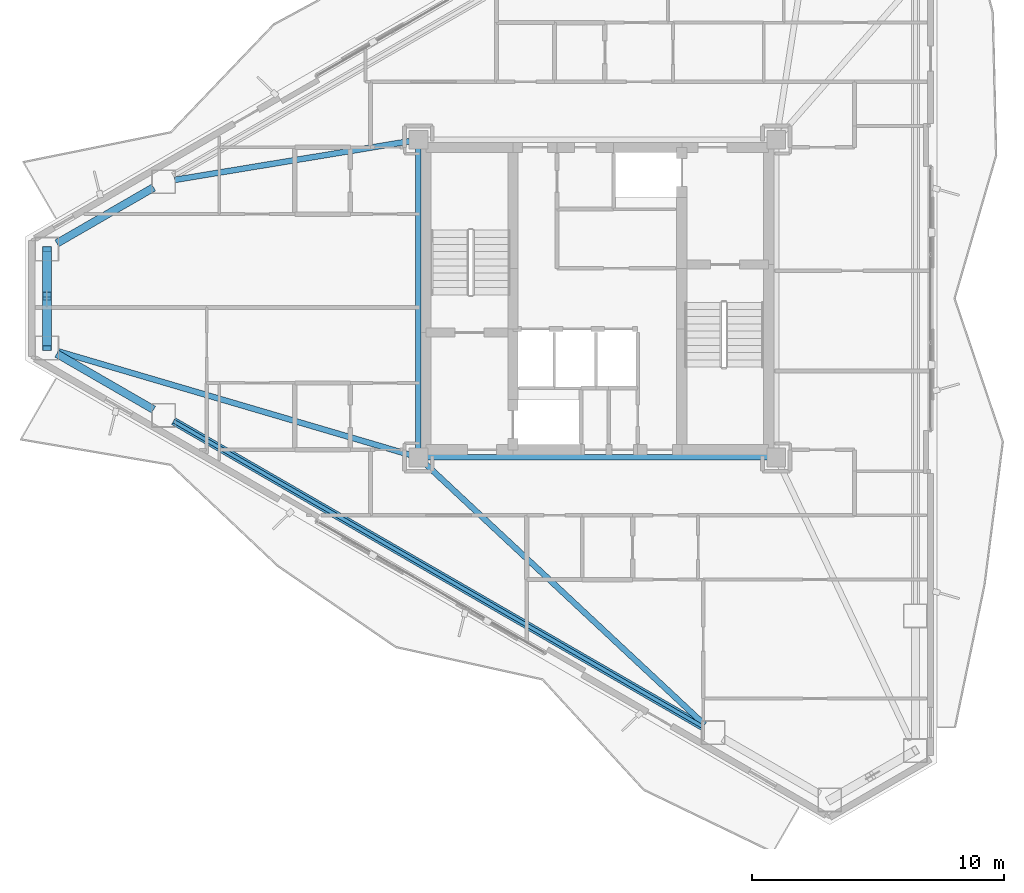
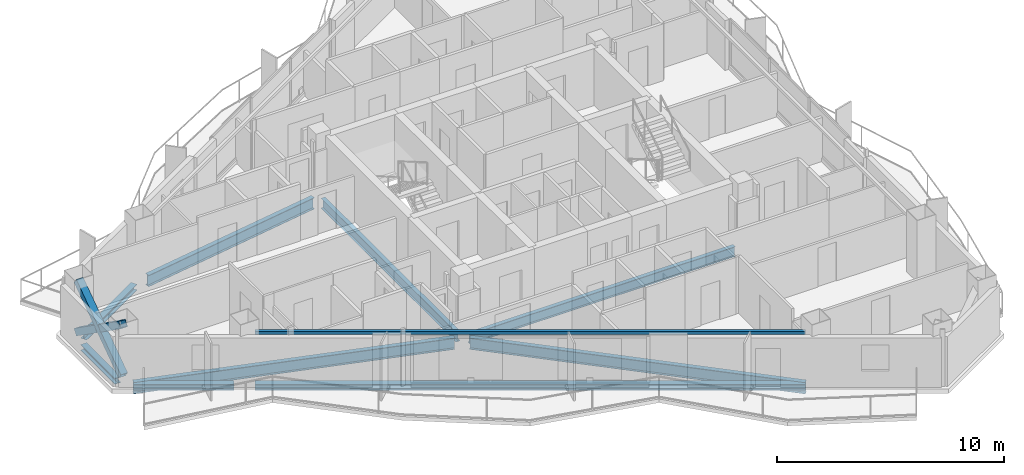
# One storey, part 4 of 19: 10 beams, 3 members.
"""IFC4 building model written with IfcOpenShell, lengths in metres."""

from ifc_helpers import new_model, si_unit, direction, frame, origin, origin_2d, place, context, subcontext, project, spatial, hollow_rectangle, i_section, extrude, material, material_profile, profile_set, type_object, element, save


model = new_model("IFC4")

# Units and contexts
model_context = context("Model", 3, precision=1e-05, world=origin(), true_north=direction((0.0, 1.0)))
body_context = subcontext(model_context, "Body", "Model", "MODEL_VIEW")
ifc_project = project(units=[si_unit("LENGTHUNIT", "METRE"), si_unit("AREAUNIT", "SQUARE_METRE"), si_unit("VOLUMEUNIT", "CUBIC_METRE"), si_unit("PLANEANGLEUNIT", "RADIAN"), si_unit("MASSUNIT", "GRAM", prefix="KILO")], contexts=[model_context])

# Site, building, storey
site_placement = place(None, origin())
site = spatial("IfcSite", under=ifc_project, at=site_placement, CompositionType="ELEMENT")
building_placement = place(site_placement, origin())
building = spatial("IfcBuilding", under=site, at=building_placement, Name="Mersakhor Tower and Convention Hall", CompositionType="ELEMENT")
storey_placement = place(building_placement, frame((0.0, 0.0, 127.800048828125)))
storey = spatial("IfcBuildingStorey", under=building, at=storey_placement, Name="L35", CompositionType="ELEMENT", Elevation=127.800048828125)

# Beams
ifc_material_1 = material(Name="Steel S355", Category="steel")
ifc_material_profile_1 = material_profile(ifc_material_1, i_section(OverallWidth=0.2099609375, OverallDepth=0.53662109375, WebThickness=0.0107421875, FlangeThickness=0.017333984375, at=origin_2d()), Name="UB 533x210x101")
ifc_profile_set_1 = profile_set([ifc_material_profile_1], Name="Steel S355")
beam_type_1 = type_object("IfcBeamType", Name="BM-FB-533", PredefinedType="BEAM", material=ifc_profile_set_1)
beam_1_placement = place(storey_placement, frame((21.89990234375, 20.804931640625, -0.50830078125), z_axis=(0.0, 1.0, 0.0), x_axis=(-1.0, 0.0, 0.0)))
element("IfcBeam", 1, at=beam_1_placement, inside=storey, type_object=beam_type_1, Name="L35 Core Ring Tie Beam CRB-1", PredefinedType="BEAM", context=body_context, shape_type="SweptSolid", body=[
    extrude(i_section(OverallWidth=0.2099609375, OverallDepth=0.53662109375, WebThickness=0.0107421875, FlangeThickness=0.017333984375, at=origin_2d()), origin(), (0.0, 0.0, 1.0), 11.89013671875),
])
beam_2_placement = place(storey_placement, frame((35.7451171875, 20.449951171875, -0.50830078125), z_axis=(-1.0, 0.0, 0.0), x_axis=(0.0, -1.0, 0.0)))
element("IfcBeam", 2, at=beam_2_placement, inside=storey, type_object=beam_type_1, Name="L35 Core Ring Tie Beam CRB-4", PredefinedType="BEAM", context=body_context, shape_type="SweptSolid", body=[
    extrude(i_section(OverallWidth=0.2099609375, OverallDepth=0.53662109375, WebThickness=0.0107421875, FlangeThickness=0.017333984375, at=origin_2d()), origin(), (0.0, 0.0, 1.0), 13.490234375),
])
ifc_material_2 = material(Name="Steel S355", Category="steel")
ifc_material_profile_2 = material_profile(ifc_material_2, hollow_rectangle(XDim=0.14990234375, YDim=0.14990234375, WallThickness=0.010009765625, at=origin_2d()), Name="SHS 150x150x10")
ifc_profile_set_2 = profile_set([ifc_material_profile_2], Name="Steel S355")
beam_type_2 = type_object("IfcBeamType", Name="BM-GRT-SHS150", PredefinedType="USERDEFINED", material=ifc_profile_set_2)
beam_3_placement = place(storey_placement, frame((33.198486328125, 9.754638671875, 2.47998046875), z_axis=(-0.866027433267, 0.499996484816, 0.0), x_axis=(-0.499996484816, -0.866027433267, 0.0)))
element("IfcBeam", 3, at=beam_3_placement, inside=storey, type_object=beam_type_2, Name="L35 Facade Support Girt GRT-F3", ObjectType="GIRT", PredefinedType="USERDEFINED", context=body_context, shape_type="SweptSolid", body=[
    extrude(hollow_rectangle(XDim=0.14990234375, YDim=0.14990234375, WallThickness=0.010009765625, at=origin_2d()), origin(), (0.0, 0.0, 1.0), 24.267333984375),
])
ifc_material_3 = material(Name="Steel S355", Category="steel")
ifc_material_profile_3 = material_profile(ifc_material_3, i_section(OverallWidth=0.22900390625, OverallDepth=0.6123046875, WebThickness=0.011962890625, FlangeThickness=0.01953125, at=origin_2d()), Name="UB 610x229x125")
ifc_profile_set_3 = profile_set([ifc_material_profile_3], Name="Steel S355")
beam_type_3 = type_object("IfcBeamType", Name="BM-PR-610", PredefinedType="BEAM", material=ifc_profile_set_3)
beam_4_placement = place(storey_placement, frame((21.5498046875, 32.9921875, -0.546142578125), z_axis=(-0.986703962282, -0.162527815515, 0.0), x_axis=(0.162527815515, -0.986703962282, 0.0)))
element("IfcBeam", 4, at=beam_4_placement, inside=storey, type_object=beam_type_3, Name="L35 Primary Floor Girder FG-1", PredefinedType="BEAM", context=body_context, shape_type="SweptSolid", body=[
    extrude(i_section(OverallWidth=0.22900390625, OverallDepth=0.6123046875, WebThickness=0.011962890625, FlangeThickness=0.01953125, at=origin_2d()), origin(), (0.0, 0.0, 1.0), 9.43798828125),
])
beam_5_placement = place(storey_placement, frame((22.159423828125, 20.207763671875, -0.546142578125), z_axis=(0.730740936679, -0.682654878736, 0.0), x_axis=(0.682654878736, 0.730740936679, 0.0)))
element("IfcBeam", 5, at=beam_5_placement, inside=storey, type_object=beam_type_3, Name="L35 Primary Floor Girder FG-5", PredefinedType="BEAM", context=body_context, shape_type="SweptSolid", body=[
    extrude(i_section(OverallWidth=0.22900390625, OverallDepth=0.6123046875, WebThickness=0.011962890625, FlangeThickness=0.01953125, at=origin_2d()), origin(), (0.0, 0.0, 1.0), 15.19091796875),
])
beam_6_placement = place(storey_placement, frame((21.559326171875, 20.55029296875, -0.546142578125), z_axis=(-0.959324090351, 0.282307083992, 0.0), x_axis=(-0.282307083992, -0.959324090351, 0.0)))
element("IfcBeam", 6, at=beam_6_placement, inside=storey, type_object=beam_type_3, Name="L35 Primary Floor Girder FG-6", PredefinedType="BEAM", context=body_context, shape_type="SweptSolid", body=[
    extrude(i_section(OverallWidth=0.22900390625, OverallDepth=0.6123046875, WebThickness=0.011962890625, FlangeThickness=0.01953125, at=origin_2d()), origin(), (0.0, 0.0, 1.0), 14.5546875),
])
ifc_material_4 = material(Name="Steel S355", Category="steel")
ifc_material_profile_4 = material_profile(ifc_material_4, i_section(OverallWidth=0.30908203125, OverallDepth=0.320556640625, WebThickness=0.013916015625, FlangeThickness=0.021728515625, at=origin_2d()), Name="UC 305x305x137")
ifc_profile_set_4 = profile_set([ifc_material_profile_4], Name="Steel S355")
beam_type_4 = type_object("IfcBeamType", Name="BM-SPD-UC305", PredefinedType="SPANDREL", material=ifc_profile_set_4)
beam_7_placement = place(storey_placement, frame((7.55419921875, 28.939697265625, -0.400390625), z_axis=(0.866028798401, 0.499994120305, 0.0), x_axis=(-0.499994120305, 0.866028798401, 0.0)))
element("IfcBeam", 7, at=beam_7_placement, inside=storey, type_object=beam_type_4, Name="L35 Perimeter Spandrel Beam SPB-01", PredefinedType="SPANDREL", context=body_context, shape_type="SweptSolid", body=[
    extrude(i_section(OverallWidth=0.30908203125, OverallDepth=0.320556640625, WebThickness=0.013916015625, FlangeThickness=0.021728515625, at=origin_2d()), origin(), (0.0, 0.0, 1.0), 4.43408203125),
])
beam_8_placement = place(storey_placement, frame((33.198486328125, 9.754638671875, -0.400390625), z_axis=(-0.866027433267, 0.499996484816, 0.0), x_axis=(-0.499996484816, -0.866027433267, 0.0)))
element("IfcBeam", 8, at=beam_8_placement, inside=storey, type_object=beam_type_4, Name="L35 Perimeter Spandrel Beam SPB-10", PredefinedType="SPANDREL", context=body_context, shape_type="SweptSolid", body=[
    extrude(i_section(OverallWidth=0.30908203125, OverallDepth=0.320556640625, WebThickness=0.013916015625, FlangeThickness=0.021728515625, at=origin_2d()), origin(), (0.0, 0.0, 1.0), 24.267333984375),
])
beam_9_placement = place(storey_placement, frame((11.394287109375, 22.34326171875, -0.400390625), z_axis=(-0.866028798401, 0.499994120305, 0.0), x_axis=(-0.499994120305, -0.866028798401, 0.0)))
element("IfcBeam", 9, at=beam_9_placement, inside=storey, type_object=beam_type_4, Name="L35 Perimeter Spandrel Beam SPB-11", PredefinedType="SPANDREL", context=body_context, shape_type="SweptSolid", body=[
    extrude(i_section(OverallWidth=0.30908203125, OverallDepth=0.320556640625, WebThickness=0.013916015625, FlangeThickness=0.021728515625, at=origin_2d()), origin(), (0.0, 0.0, 1.0), 4.43408203125),
])
beam_10_placement = place(storey_placement, frame((7.160400390625, 25.24267578125, -0.400390625), z_axis=(0.0, 1.0, 0.0), x_axis=(-1.0, 0.0, 0.0)))
element("IfcBeam", 10, at=beam_10_placement, inside=storey, type_object=beam_type_4, Name="L35 Perimeter Spandrel Beam SPB-12", PredefinedType="SPANDREL", context=body_context, shape_type="SweptSolid", body=[
    extrude(i_section(OverallWidth=0.30908203125, OverallDepth=0.320556640625, WebThickness=0.013916015625, FlangeThickness=0.021728515625, at=origin_2d()), origin(), (0.0, 0.0, 1.0), 3.0146484375),
])

# Members
ifc_material_5 = material(Name="Steel S460", Category="steel")
ifc_material_profile_5 = material_profile(ifc_material_5, hollow_rectangle(XDim=0.35009765625, YDim=0.35009765625, WallThickness=0.02001953125, at=origin_2d()), Name="SHS 350x350x20")
ifc_profile_set_5 = profile_set([ifc_material_profile_5], Name="Steel S460")
member_type = type_object("IfcMemberType", Name="MB-BRC-SHS350", PredefinedType="BRACE", material=ifc_profile_set_5)
member_placement = place(storey_placement, frame((7.160400390625, 24.78759765625, 0.14990234375), z_axis=(0.0, 0.817991748952, 0.575229952843), x_axis=(-1.0, 0.0, 0.0)))
element("IfcMember", 11, at=member_placement, inside=storey, type_object=member_type, Name="L35 Chamfer Braced Frame Diagonal CB-3A", PredefinedType="BRACE", context=body_context, shape_type="SweptSolid", body=[
    extrude(hollow_rectangle(XDim=0.35009765625, YDim=0.35009765625, WallThickness=0.02001953125, at=origin_2d()), origin(), (0.0, 0.0, 1.0), 4.798095703125),
])
for number, where, z_axis, x_axis, name in (
    (12, (7.160400390625, 28.71240234375, 0.14990234375), (0.0, -0.817960781121, 0.575273987372), (1.0, 0.0, 0.0), "L35 Chamfer Braced Frame Diagonal CB-3B Lower Half"),
    (13, (7.160400390625, 26.59130859375, 1.6416015625), (0.0, -0.818012878097, 0.575199905483), (1.0, 0.0, 0.0), "L35 Chamfer Braced Frame Diagonal CB-3B Upper Half"),
):
    element("IfcMember", number, at=place(storey_placement, frame(where, z_axis=z_axis, x_axis=x_axis)), inside=storey, type_object=member_type, Name=name, PredefinedType="BRACE", context=body_context, shape_type="SweptSolid", body=[
        extrude(hollow_rectangle(XDim=0.35009765625, YDim=0.35009765625, WallThickness=0.02001953125, at=origin_2d()), origin(), (0.0, 0.0, 1.0), 2.205078125),
    ])

save(model, "model.ifc")
